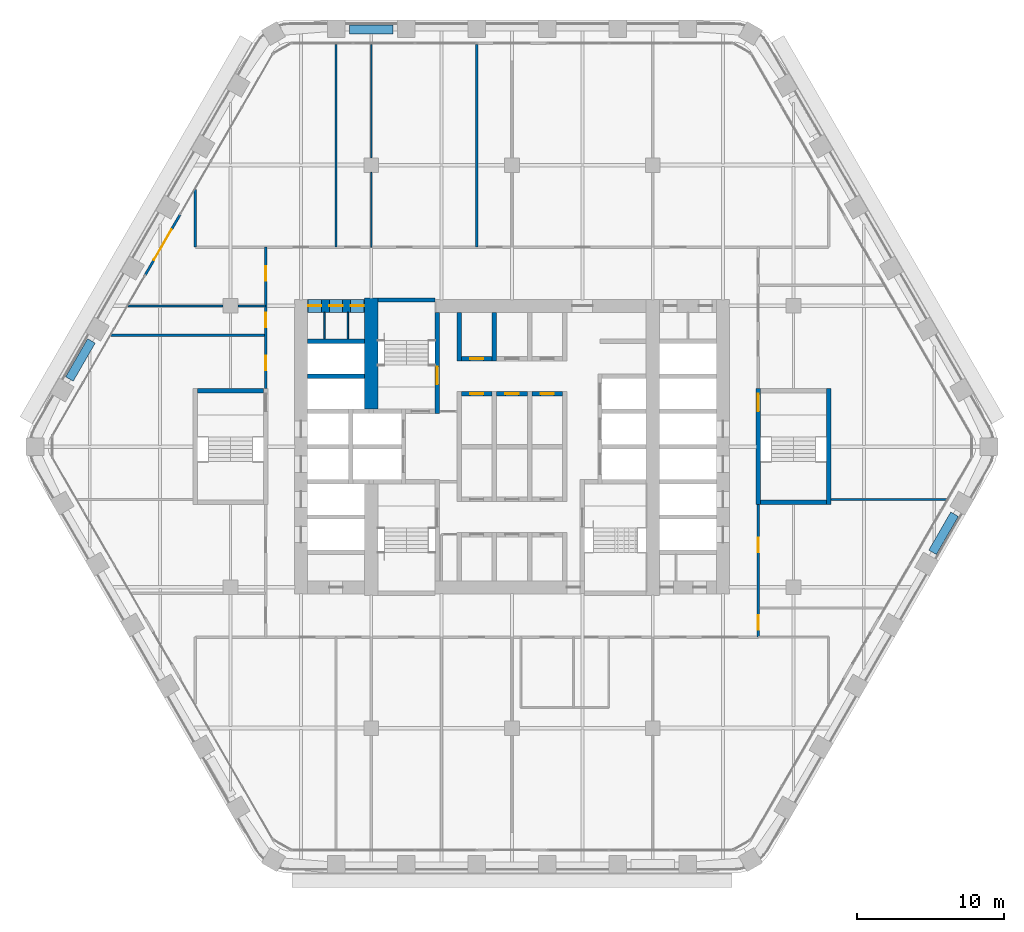
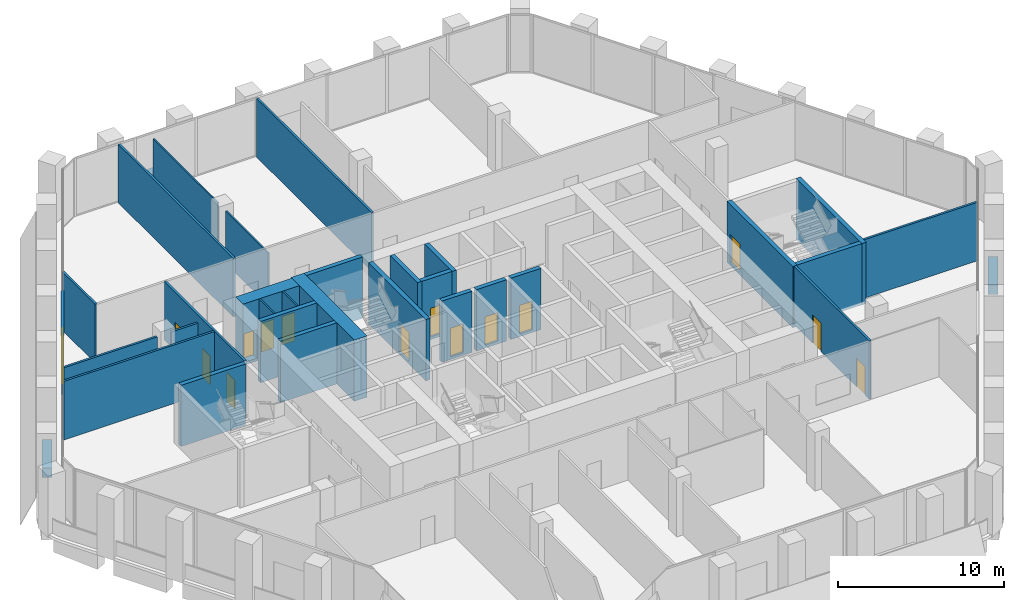
# One storey, part 15 of 22: 33 walls, 15 doors, 15 openings.
"""IFC4 building model written with IfcOpenShell, lengths in metres."""

from ifc_helpers import new_model, si_unit, direction, frame, frame_2d, origin, place, context, subcontext, project, spatial, rectangle, extrude, material, layer, layer_set, type_object, element, fill, save


model = new_model("IFC4")

# Units and contexts
model_context = context("Model", 3, precision=1e-05, world=origin(), true_north=direction((0.0, 1.0)))
body_context = subcontext(model_context, "Body", "Model", "MODEL_VIEW")
ifc_project = project(units=[si_unit("LENGTHUNIT", "METRE"), si_unit("AREAUNIT", "SQUARE_METRE"), si_unit("VOLUMEUNIT", "CUBIC_METRE"), si_unit("PLANEANGLEUNIT", "RADIAN"), si_unit("MASSUNIT", "GRAM", prefix="KILO")], contexts=[model_context])

# Site, building, storey
site_placement = place(None, origin())
site = spatial("IfcSite", under=ifc_project, at=site_placement, CompositionType="ELEMENT")
building_placement = place(site_placement, origin())
building = spatial("IfcBuilding", under=site, at=building_placement, Name="Kolab Exchange Tower", CompositionType="ELEMENT")
storey_placement = place(building_placement, frame((0.0, 0.0, 82.39990234375)))
storey = spatial("IfcBuildingStorey", under=building, at=storey_placement, Name="L15", CompositionType="ELEMENT", Elevation=82.39990234375)

# Wall, openings, doors
ifc_material_1 = material(Name="Concrete C70/85", Category="concrete")
ifc_layer_1 = layer(ifc_material_1, 0.89990234375)
ifc_layer_set_1 = layer_set([ifc_layer_1], Name="Concrete C70/85")
wall_type_1 = type_object("IfcWallType", Name="CORE WALL 900 C70/85", PredefinedType="SHEAR", material=ifc_layer_set_1)
wall_1_placement = place(storey_placement, frame((-13.949951171875, 9.60009765625, -0.199951171875), z_axis=(0.0, 0.0, 1.0), x_axis=(1.0, 0.0, 0.0)))
wall_1 = element("IfcWall", 1, at=wall_1_placement, inside=storey, type_object=wall_type_1, Name="wall/L15/core/051", PredefinedType="SHEAR", context=body_context, shape_type="SweptSolid", body=[
    extrude(rectangle(XDim=3.89990234375, YDim=0.89990234375, at=frame_2d((1.949951171875, 0.0))), origin(), (0.0, 0.0, 1.0), 4.5),
])
opening_1_placement = place(wall_1_placement, frame((0.050048828125, 0.0, 0.199951171875)))
opening_1 = element("IfcOpeningElement", 2, at=opening_1_placement, cuts=wall_1, Name="Opening D6-217", PredefinedType="OPENING", context=body_context, shape_type="SweptSolid", body=[
    extrude(rectangle(XDim=0.89990234375, YDim=2.10009765625, at=frame_2d((0.449951171875, 1.050048828125))), frame((0.0, 0.4599609375, 0.0), z_axis=(0.0, -1.0, 0.0), x_axis=(1.0, 0.0, 0.0)), (0.0, 0.0, 1.0), 0.919921875),
])
opening_2_placement = place(wall_1_placement, frame((1.5, 0.0, 0.199951171875)))
opening_2 = element("IfcOpeningElement", 3, at=opening_2_placement, cuts=wall_1, Name="Opening D6-218", PredefinedType="OPENING", context=body_context, shape_type="SweptSolid", body=[
    extrude(rectangle(XDim=0.89990234375, YDim=2.10009765625, at=frame_2d((0.449951171875, 1.050048828125))), frame((0.0, 0.4599609375, 0.0), z_axis=(0.0, -1.0, 0.0), x_axis=(1.0, 0.0, 0.0)), (0.0, 0.0, 1.0), 0.919921875),
])
opening_3_placement = place(wall_1_placement, frame((2.949951171875, 0.0, 0.199951171875)))
opening_3 = element("IfcOpeningElement", 4, at=opening_3_placement, cuts=wall_1, Name="Opening D6-206", PredefinedType="OPENING", context=body_context, shape_type="SweptSolid", body=[
    extrude(rectangle(XDim=0.89990234375, YDim=2.10009765625, at=frame_2d((0.449951171875, 1.050048828125))), frame((0.0, 0.4599609375, 0.0), z_axis=(0.0, -1.0, 0.0), x_axis=(1.0, 0.0, 0.0)), (0.0, 0.0, 1.0), 0.919921875),
])
ifc_material_2 = material(Name="Steel S235", Category="steel")
door_type_1 = type_object("IfcDoorType", Name="CORE DOOR 900 EI 120", OperationType="SINGLE_SWING_LEFT", PredefinedType="DOOR", material=ifc_material_2)
door_1_placement = place(opening_1_placement, frame((0.89990234375, 0.0, 0.0), z_axis=(0.0, 0.0, 1.0), x_axis=(-1.0, 0.0, 0.0)))
door_1 = element("IfcDoor", 5, at=door_1_placement, inside=storey, type_object=door_type_1, Name="Service room door", OperationType="SINGLE_SWING_RIGHT", OverallHeight=2.10009765625, OverallWidth=0.89990234375, PredefinedType="DOOR", context=body_context, shape_type="SweptSolid", body=[
    extrude(rectangle(XDim=0.89990234375, YDim=2.10009765625, at=frame_2d((0.449951171875, 1.050048828125))), frame((0.0, 0.02490234375, 0.0), z_axis=(0.0, -1.0, 0.0), x_axis=(1.0, 0.0, 0.0)), (0.0, 0.0, 1.0), 0.050048828125),
])
fill(opening_1, door_1)
door_2_placement = place(opening_2_placement, frame((0.89990234375, 0.0, 0.0), z_axis=(0.0, 0.0, 1.0), x_axis=(-1.0, 0.0, 0.0)))
door_2 = element("IfcDoor", 6, at=door_2_placement, inside=storey, type_object=door_type_1, Name="Service room door", OperationType="SINGLE_SWING_LEFT", OverallHeight=2.10009765625, OverallWidth=0.89990234375, PredefinedType="DOOR", context=body_context, shape_type="SweptSolid", body=[
    extrude(rectangle(XDim=0.89990234375, YDim=2.10009765625, at=frame_2d((0.449951171875, 1.050048828125))), frame((0.0, 0.02490234375, 0.0), z_axis=(0.0, -1.0, 0.0), x_axis=(1.0, 0.0, 0.0)), (0.0, 0.0, 1.0), 0.050048828125),
])
fill(opening_2, door_2)
door_3_placement = place(opening_3_placement, frame((0.89990234375, 0.0, 0.0), z_axis=(0.0, 0.0, 1.0), x_axis=(-1.0, 0.0, 0.0)))
door_3 = element("IfcDoor", 7, at=door_3_placement, inside=storey, type_object=door_type_1, Name="Service room door", OperationType="SINGLE_SWING_LEFT", OverallHeight=2.10009765625, OverallWidth=0.89990234375, PredefinedType="DOOR", context=body_context, shape_type="SweptSolid", body=[
    extrude(rectangle(XDim=0.89990234375, YDim=2.10009765625, at=frame_2d((0.449951171875, 1.050048828125))), frame((0.0, 0.02490234375, 0.0), z_axis=(0.0, -1.0, 0.0), x_axis=(1.0, 0.0, 0.0)), (0.0, 0.0, 1.0), 0.050048828125),
])
fill(opening_3, door_3)

# Wall
wall_2_placement = place(storey_placement, frame((-9.60009765625, 2.550048828125, -0.199951171875), z_axis=(0.0, 0.0, 1.0), x_axis=(0.0, 1.0, 0.0)))
element("IfcWall", 8, at=wall_2_placement, inside=storey, type_object=wall_type_1, Name="wall/L15/core/062", PredefinedType="SHEAR", context=body_context, shape_type="SweptSolid", body=[
    extrude(rectangle(XDim=7.599853515625, YDim=0.89990234375, at=frame_2d((3.7998046875, 0.0))), origin(), (0.0, 0.0, 1.0), 4.5),
])

# Wall, opening, door
ifc_material_3 = material(Name="Aluminium EN AW-6063 T6", Category="aluminium")
ifc_layer_2 = layer(ifc_material_3, 0.159912109375)
ifc_layer_set_2 = layer_set([ifc_layer_2], Name="Aluminium EN AW-6063 T6")
wall_type_2 = type_object("IfcWallType", Name="DOOR SURROUND WALL 160 ALUMINIUM FRAMED", PredefinedType="PARTITIONING", material=ifc_layer_set_2)
wall_3_placement = place(storey_placement, frame((-25.0166015625, 11.706787109375, 0.0), z_axis=(0.0, 0.0, 1.0), x_axis=(0.499978080042, 0.866038058908, 0.0)))
wall_3 = element("IfcWall", 9, at=wall_3_placement, inside=storey, type_object=wall_type_2, Name="Door surround wall", PredefinedType="PARTITIONING", context=body_context, shape_type="SweptSolid", body=[
    extrude(rectangle(XDim=4.739990234375, YDim=0.159912109375, at=frame_2d((2.3701171875, 0.0))), origin(), (0.0, 0.0, 1.0), 4.300048828125),
])
opening_4_placement = place(wall_3_placement, frame((1.169921875, 0.0, 0.0)))
opening_4 = element("IfcOpeningElement", 10, at=opening_4_placement, cuts=wall_3, Name="Opening GD1-039", PredefinedType="OPENING", context=body_context, shape_type="SweptSolid", body=[
    extrude(rectangle(XDim=2.39990234375, YDim=2.39990234375, at=frame_2d((1.199951171875, 1.199951171875))), frame((0.0, 0.08984375, 0.0), z_axis=(0.0, -1.0, 0.0), x_axis=(1.0, 0.0, 0.0)), (0.0, 0.0, 1.0), 0.179931640625),
])
door_type_2 = type_object("IfcDoorType", Name="LOGGIA SLIDING GLASS DOOR 2400 X 2400", OperationType="DOUBLE_DOOR_SINGLE_SWING", PredefinedType="DOOR", material=ifc_material_3)
door_4_placement = place(opening_4_placement, origin())
door_4 = element("IfcDoor", 11, at=door_4_placement, inside=storey, type_object=door_type_2, Name="Loggia door", OperationType="DOUBLE_DOOR_SLIDING", OverallHeight=2.39990234375, OverallWidth=2.39990234375, PredefinedType="DOOR", context=body_context, shape_type="SweptSolid", body=[
    extrude(rectangle(XDim=2.39990234375, YDim=2.39990234375, at=frame_2d((1.199951171875, 1.199951171875))), frame((0.0, 0.02490234375, 0.0), z_axis=(0.0, -1.0, 0.0), x_axis=(1.0, 0.0, 0.0)), (0.0, 0.0, 1.0), 0.050048828125),
])
fill(opening_4, door_4)

ifc_material_4 = material(Name="Concrete C50/60", Category="concrete")
ifc_layer_3 = layer(ifc_material_4, 0.300048828125)
ifc_layer_set_3 = layer_set([ifc_layer_3], Name="Concrete C50/60")
wall_type_3 = type_object("IfcWallType", Name="LIFT SHAFT WALL 300 C50/60", PredefinedType="STANDARD", material=ifc_layer_set_3)
wall_4_placement = place(storey_placement, frame((-3.449951171875, 3.60009765625, -0.199951171875), z_axis=(0.0, 0.0, 1.0), x_axis=(1.0, 0.0, 0.0)))
wall_4 = element("IfcWall", 12, at=wall_4_placement, inside=storey, type_object=wall_type_3, Name="wall/L15/core/037", PredefinedType="STANDARD", context=body_context, shape_type="SweptSolid", body=[
    extrude(rectangle(XDim=2.099853515625, YDim=0.300048828125, at=frame_2d((1.0498046875, 0.0))), origin(), (0.0, 0.0, 1.0), 4.5),
])
opening_5_placement = place(wall_4_placement, frame((0.60009765625, 0.0, 0.199951171875)))
opening_5 = element("IfcOpeningElement", 13, at=opening_5_placement, cuts=wall_4, Name="Opening D6-196", PredefinedType="OPENING", context=body_context, shape_type="SweptSolid", body=[
    extrude(rectangle(XDim=0.89990234375, YDim=2.10009765625, at=frame_2d((0.449951171875, 1.050048828125))), frame((0.0, 0.16015625, 0.0), z_axis=(0.0, -1.0, 0.0), x_axis=(1.0, 0.0, 0.0)), (0.0, 0.0, 1.0), 0.320068359375),
])
door_5_placement = place(opening_5_placement, frame((0.89990234375, 0.0, 0.0), z_axis=(0.0, 0.0, 1.0), x_axis=(-1.0, 0.0, 0.0)))
door_5 = element("IfcDoor", 14, at=door_5_placement, inside=storey, type_object=door_type_1, Name="Service room door", OperationType="SINGLE_SWING_LEFT", OverallHeight=2.10009765625, OverallWidth=0.89990234375, PredefinedType="DOOR", context=body_context, shape_type="SweptSolid", body=[
    extrude(rectangle(XDim=0.89990234375, YDim=2.10009765625, at=frame_2d((0.449951171875, 1.050048828125))), frame((0.0, 0.02490234375, 0.0), z_axis=(0.0, -1.0, 0.0), x_axis=(1.0, 0.0, 0.0)), (0.0, 0.0, 1.0), 0.050048828125),
])
fill(opening_5, door_5)

wall_5_placement = place(storey_placement, frame((-1.050048828125, 3.60009765625, -0.199951171875), z_axis=(0.0, 0.0, 1.0), x_axis=(1.0, 0.0, 0.0)))
wall_5 = element("IfcWall", 15, at=wall_5_placement, inside=storey, type_object=wall_type_3, Name="wall/L15/core/038", PredefinedType="STANDARD", context=body_context, shape_type="SweptSolid", body=[
    extrude(rectangle(XDim=2.10009765625, YDim=0.300048828125, at=frame_2d((1.050048828125, 0.0))), origin(), (0.0, 0.0, 1.0), 4.5),
])
opening_6_placement = place(wall_5_placement, frame((0.60009765625, 0.0, 0.199951171875)))
opening_6 = element("IfcOpeningElement", 16, at=opening_6_placement, cuts=wall_5, Name="Opening D6-195", PredefinedType="OPENING", context=body_context, shape_type="SweptSolid", body=[
    extrude(rectangle(XDim=0.89990234375, YDim=2.10009765625, at=frame_2d((0.449951171875, 1.050048828125))), frame((0.0, 0.16015625, 0.0), z_axis=(0.0, -1.0, 0.0), x_axis=(1.0, 0.0, 0.0)), (0.0, 0.0, 1.0), 0.320068359375),
])
door_6_placement = place(opening_6_placement, frame((0.89990234375, 0.0, 0.0), z_axis=(0.0, 0.0, 1.0), x_axis=(-1.0, 0.0, 0.0)))
door_6 = element("IfcDoor", 17, at=door_6_placement, inside=storey, type_object=door_type_1, Name="Service room door", OperationType="SINGLE_SWING_LEFT", OverallHeight=2.10009765625, OverallWidth=0.89990234375, PredefinedType="DOOR", context=body_context, shape_type="SweptSolid", body=[
    extrude(rectangle(XDim=0.89990234375, YDim=2.10009765625, at=frame_2d((0.449951171875, 1.050048828125))), frame((0.0, 0.02490234375, 0.0), z_axis=(0.0, -1.0, 0.0), x_axis=(1.0, 0.0, 0.0)), (0.0, 0.0, 1.0), 0.050048828125),
])
fill(opening_6, door_6)

wall_6_placement = place(storey_placement, frame((1.35009765625, 3.60009765625, -0.199951171875), z_axis=(0.0, 0.0, 1.0), x_axis=(1.0, 0.0, 0.0)))
wall_6 = element("IfcWall", 18, at=wall_6_placement, inside=storey, type_object=wall_type_3, Name="wall/L15/core/039", PredefinedType="STANDARD", context=body_context, shape_type="SweptSolid", body=[
    extrude(rectangle(XDim=2.099853515625, YDim=0.300048828125, at=frame_2d((1.0498046875, 0.0))), origin(), (0.0, 0.0, 1.0), 4.5),
])
opening_7_placement = place(wall_6_placement, frame((0.60009765625, 0.0, 0.199951171875)))
opening_7 = element("IfcOpeningElement", 19, at=opening_7_placement, cuts=wall_6, Name="Opening D6-194", PredefinedType="OPENING", context=body_context, shape_type="SweptSolid", body=[
    extrude(rectangle(XDim=0.89990234375, YDim=2.10009765625, at=frame_2d((0.449951171875, 1.050048828125))), frame((0.0, 0.16015625, 0.0), z_axis=(0.0, -1.0, 0.0), x_axis=(1.0, 0.0, 0.0)), (0.0, 0.0, 1.0), 0.320068359375),
])
door_7_placement = place(opening_7_placement, frame((0.89990234375, 0.0, 0.0), z_axis=(0.0, 0.0, 1.0), x_axis=(-1.0, 0.0, 0.0)))
door_7 = element("IfcDoor", 20, at=door_7_placement, inside=storey, type_object=door_type_1, Name="Service room door", OperationType="SINGLE_SWING_RIGHT", OverallHeight=2.10009765625, OverallWidth=0.89990234375, PredefinedType="DOOR", context=body_context, shape_type="SweptSolid", body=[
    extrude(rectangle(XDim=0.89990234375, YDim=2.10009765625, at=frame_2d((0.449951171875, 1.050048828125))), frame((0.0, 0.02490234375, 0.0), z_axis=(0.0, -1.0, 0.0), x_axis=(1.0, 0.0, 0.0)), (0.0, 0.0, 1.0), 0.050048828125),
])
fill(opening_7, door_7)

# Wall
wall_7_placement = place(storey_placement, frame((-13.949951171875, 4.800048828125, -0.199951171875), z_axis=(0.0, 0.0, 1.0), x_axis=(1.0, 0.0, 0.0)))
element("IfcWall", 21, at=wall_7_placement, inside=storey, type_object=wall_type_3, Name="wall/L15/core/042", PredefinedType="STANDARD", context=body_context, shape_type="SweptSolid", body=[
    extrude(rectangle(XDim=3.89990234375, YDim=0.300048828125, at=frame_2d((1.949951171875, 0.0))), origin(), (0.0, 0.0, 1.0), 4.5),
])

# Wall, opening, door
wall_8_placement = place(storey_placement, frame((-3.449951171875, 6.0, -0.199951171875), z_axis=(0.0, 0.0, 1.0), x_axis=(1.0, 0.0, 0.0)))
wall_8 = element("IfcWall", 22, at=wall_8_placement, inside=storey, type_object=wall_type_3, Name="wall/L15/core/045", PredefinedType="STANDARD", context=body_context, shape_type="SweptSolid", body=[
    extrude(rectangle(XDim=2.099853515625, YDim=0.300048828125, at=frame_2d((1.0498046875, 0.0))), origin(), (0.0, 0.0, 1.0), 4.5),
])
opening_8_placement = place(wall_8_placement, frame((0.60009765625, 0.0, 0.199951171875)))
opening_8 = element("IfcOpeningElement", 23, at=opening_8_placement, cuts=wall_8, Name="Opening D6-193", PredefinedType="OPENING", context=body_context, shape_type="SweptSolid", body=[
    extrude(rectangle(XDim=0.89990234375, YDim=2.10009765625, at=frame_2d((0.449951171875, 1.050048828125))), frame((0.0, 0.16015625, 0.0), z_axis=(0.0, -1.0, 0.0), x_axis=(1.0, 0.0, 0.0)), (0.0, 0.0, 1.0), 0.320068359375),
])
door_8_placement = place(opening_8_placement, origin())
door_8 = element("IfcDoor", 24, at=door_8_placement, inside=storey, type_object=door_type_1, Name="Service room door", OperationType="SINGLE_SWING_LEFT", OverallHeight=2.10009765625, OverallWidth=0.89990234375, PredefinedType="DOOR", context=body_context, shape_type="SweptSolid", body=[
    extrude(rectangle(XDim=0.89990234375, YDim=2.10009765625, at=frame_2d((0.449951171875, 1.050048828125))), frame((0.0, 0.02490234375, 0.0), z_axis=(0.0, -1.0, 0.0), x_axis=(1.0, 0.0, 0.0)), (0.0, 0.0, 1.0), 0.050048828125),
])
fill(opening_8, door_8)

# Walls
wall_9_placement = place(storey_placement, frame((-13.949951171875, 7.199951171875, -0.199951171875), z_axis=(0.0, 0.0, 1.0), x_axis=(1.0, 0.0, 0.0)))
element("IfcWall", 25, at=wall_9_placement, inside=storey, type_object=wall_type_3, Name="wall/L15/core/048", PredefinedType="STANDARD", context=body_context, shape_type="SweptSolid", body=[
    extrude(rectangle(XDim=3.89990234375, YDim=0.300048828125, at=frame_2d((1.949951171875, 0.0))), origin(), (0.0, 0.0, 1.0), 4.5),
])
for number, where, z_axis, x_axis, name in (
    (26, (-3.60009765625, 5.85009765625, -0.199951171875), (0.0, 0.0, 1.0), (0.0, 1.0, 0.0), "wall/L15/core/068"),
    (27, (-1.199951171875, 5.85009765625, -0.199951171875), (0.0, 0.0, 1.0), (0.0, 1.0, 0.0), "wall/L15/core/071"),
):
    element("IfcWall", number, at=place(storey_placement, frame(where, z_axis=z_axis, x_axis=x_axis)), inside=storey, type_object=wall_type_3, Name=name, PredefinedType="STANDARD", context=body_context, shape_type="SweptSolid", body=[
        extrude(rectangle(XDim=3.2998046875, YDim=0.300048828125, at=frame_2d((1.64990234375, 0.0))), origin(), (0.0, 0.0, 1.0), 4.5),
    ])
ifc_material_5 = material(Name="Gypsum board", Category="gypsum")
ifc_layer_4 = layer(ifc_material_5, 0.10009765625)
ifc_layer_set_4 = layer_set([ifc_layer_4], Name="Gypsum board")
wall_type_4 = type_object("IfcWallType", Name="PARTITION 100", PredefinedType="PARTITIONING", material=ifc_layer_set_4)
wall_10_placement = place(storey_placement, frame((-9.60009765625, 13.60009765625, 0.0), z_axis=(0.0, 0.0, 1.0), x_axis=(0.0, 1.0, 0.0)))
element("IfcWall", 28, at=wall_10_placement, inside=storey, type_object=wall_type_4, Name="Partition 020", PredefinedType="PARTITIONING", context=body_context, shape_type="SweptSolid", body=[
    extrude(rectangle(XDim=5.099853515625, YDim=0.10009765625, at=frame_2d((2.5498046875, 0.0))), origin(), (0.0, 0.0, 1.0), 3.843017578125),
])
wall_11_placement = place(storey_placement, frame((-9.60009765625, 19.699951171875, 0.0), z_axis=(0.0, 0.0, 1.0), x_axis=(0.0, 1.0, 0.0)))
element("IfcWall", 29, at=wall_11_placement, inside=storey, type_object=wall_type_4, Name="Partition 021", PredefinedType="PARTITIONING", context=body_context, shape_type="SweptSolid", body=[
    extrude(rectangle(XDim=7.728515625, YDim=0.10009765625, at=frame_2d((3.8642578125, 0.0))), origin(), (0.0, 0.0, 1.0), 3.843017578125),
])
for number, where, z_axis, x_axis, name in (
    (30, (-11.199951171875, 7.35009765625, 0.0), (0.0, 0.0, 1.0), (0.0, 1.0, 0.0), "Partition 024"),
    (31, (-12.800048828125, 7.35009765625, 0.0), (0.0, 0.0, 1.0), (0.0, 1.0, 0.0), "Partition 027"),
):
    element("IfcWall", number, at=place(storey_placement, frame(where, z_axis=z_axis, x_axis=x_axis)), inside=storey, type_object=wall_type_4, Name=name, PredefinedType="PARTITIONING", context=body_context, shape_type="SweptSolid", body=[
        extrude(rectangle(XDim=1.7998046875, YDim=0.10009765625, at=frame_2d((0.89990234375, 0.0))), origin(), (0.0, 0.0, 1.0), 4.300048828125),
    ])

# Wall, openings, doors
ifc_layer_5 = layer(ifc_material_5, 0.14990234375)
ifc_layer_set_5 = layer_set([ifc_layer_5], Name="Gypsum board")
wall_type_5 = type_object("IfcWallType", Name="PARTITION 150 FIRE-RATED", PredefinedType="PARTITIONING", material=ifc_layer_set_5)
wall_12_placement = place(storey_placement, frame((16.800048828125, -13.0, 0.0), z_axis=(0.0, 0.0, 1.0), x_axis=(0.0, 1.0, 0.0)))
wall_12 = element("IfcWall", 32, at=wall_12_placement, inside=storey, type_object=wall_type_5, Name="Partition 002", PredefinedType="PARTITIONING", context=body_context, shape_type="SweptSolid", body=[
    extrude(rectangle(XDim=9.050048828125, YDim=0.14990234375, at=frame_2d((4.52490234375, 0.0))), origin(), (0.0, 0.0, 1.0), 4.300048828125),
])
opening_9_placement = place(wall_12_placement, frame((0.514892578125, 0.0, 0.0)))
opening_9 = element("IfcOpeningElement", 33, at=opening_9_placement, cuts=wall_12, Name="Opening D1-227", PredefinedType="OPENING", context=body_context, shape_type="SweptSolid", body=[
    extrude(rectangle(XDim=1.0, YDim=2.10009765625, at=frame_2d((0.5, 1.050048828125))), frame((0.0, 0.0849609375, 0.0), z_axis=(0.0, -1.0, 0.0), x_axis=(1.0, 0.0, 0.0)), (0.0, 0.0, 1.0), 0.169921875),
])
opening_10_placement = place(wall_12_placement, frame((5.800048828125, 0.0, 0.0)))
opening_10 = element("IfcOpeningElement", 34, at=opening_10_placement, cuts=wall_12, Name="Opening D1-213", PredefinedType="OPENING", context=body_context, shape_type="SweptSolid", body=[
    extrude(rectangle(XDim=1.0, YDim=2.10009765625, at=frame_2d((0.5, 1.050048828125))), frame((0.0, 0.0849609375, 0.0), z_axis=(0.0, -1.0, 0.0), x_axis=(1.0, 0.0, 0.0)), (0.0, 0.0, 1.0), 0.169921875),
])
door_type_3 = type_object("IfcDoorType", Name="FLUSH DOOR 1000 FD60", OperationType="SINGLE_SWING_LEFT", PredefinedType="DOOR", material=ifc_material_2)
door_9_placement = place(opening_9_placement, frame((1.0, 0.0, 0.0), z_axis=(0.0, 0.0, 1.0), x_axis=(-1.0, 0.0, 0.0)))
door_9 = element("IfcDoor", 35, at=door_9_placement, inside=storey, type_object=door_type_3, Name="Door L15-060", OperationType="SINGLE_SWING_RIGHT", OverallHeight=2.10009765625, OverallWidth=1.0, PredefinedType="DOOR", context=body_context, shape_type="SweptSolid", body=[
    extrude(rectangle(XDim=1.0, YDim=2.10009765625, at=frame_2d((0.5, 1.050048828125))), frame((0.0, 0.02490234375, 0.0), z_axis=(0.0, -1.0, 0.0), x_axis=(1.0, 0.0, 0.0)), (0.0, 0.0, 1.0), 0.050048828125),
])
fill(opening_9, door_9)
door_10_placement = place(opening_10_placement, frame((1.0, 0.0, 0.0), z_axis=(0.0, 0.0, 1.0), x_axis=(-1.0, 0.0, 0.0)))
door_10 = element("IfcDoor", 36, at=door_10_placement, inside=storey, type_object=door_type_3, Name="Door L15-061", OperationType="SINGLE_SWING_RIGHT", OverallHeight=2.10009765625, OverallWidth=1.0, PredefinedType="DOOR", context=body_context, shape_type="SweptSolid", body=[
    extrude(rectangle(XDim=1.0, YDim=2.10009765625, at=frame_2d((0.5, 1.050048828125))), frame((0.0, 0.02490234375, 0.0), z_axis=(0.0, -1.0, 0.0), x_axis=(1.0, 0.0, 0.0)), (0.0, 0.0, 1.0), 0.050048828125),
])
fill(opening_10, door_10)

# Walls
wall_13_placement = place(storey_placement, frame((-2.39990234375, 13.60009765625, 0.0), z_axis=(0.0, 0.0, 1.0), x_axis=(0.0, 1.0, 0.0)))
element("IfcWall", 37, at=wall_13_placement, inside=storey, type_object=wall_type_5, Name="Partition 017", PredefinedType="PARTITIONING", context=body_context, shape_type="SweptSolid", body=[
    extrude(rectangle(XDim=13.83837890625, YDim=0.14990234375, at=frame_2d((6.919189453125, 0.0))), origin(), (0.0, 0.0, 1.0), 4.300048828125),
])
wall_14_placement = place(storey_placement, frame((-12.0, 13.60009765625, 0.0), z_axis=(0.0, 0.0, 1.0), x_axis=(0.0, 1.0, 0.0)))
element("IfcWall", 38, at=wall_14_placement, inside=storey, type_object=wall_type_5, Name="Partition 026", PredefinedType="PARTITIONING", context=body_context, shape_type="SweptSolid", body=[
    extrude(rectangle(XDim=13.828369140625, YDim=0.14990234375, at=frame_2d((6.9140625, 0.0))), origin(), (0.0, 0.0, 1.0), 4.300048828125),
])

# Wall, openings, doors
wall_15_placement = place(storey_placement, frame((-16.800048828125, 3.949951171875, 0.0), z_axis=(0.0, 0.0, 1.0), x_axis=(0.0, 1.0, 0.0)))
wall_15 = element("IfcWall", 39, at=wall_15_placement, inside=storey, type_object=wall_type_5, Name="Partition 029", PredefinedType="PARTITIONING", context=body_context, shape_type="SweptSolid", body=[
    extrude(rectangle(XDim=9.650146484375, YDim=0.14990234375, at=frame_2d((4.8251953125, 0.0))), origin(), (0.0, 0.0, 1.0), 4.300048828125),
])
opening_11_placement = place(wall_15_placement, frame((1.25, 0.0, 0.0)))
opening_11 = element("IfcOpeningElement", 40, at=opening_11_placement, cuts=wall_15, Name="Opening D1-218", PredefinedType="OPENING", context=body_context, shape_type="SweptSolid", body=[
    extrude(rectangle(XDim=1.0, YDim=2.10009765625, at=frame_2d((0.5, 1.050048828125))), frame((0.0, 0.0849609375, 0.0), z_axis=(0.0, -1.0, 0.0), x_axis=(1.0, 0.0, 0.0)), (0.0, 0.0, 1.0), 0.169921875),
])
opening_12_placement = place(wall_15_placement, frame((4.18505859375, 0.0, 0.0)))
opening_12 = element("IfcOpeningElement", 41, at=opening_12_placement, cuts=wall_15, Name="Opening D1-228", PredefinedType="OPENING", context=body_context, shape_type="SweptSolid", body=[
    extrude(rectangle(XDim=1.0, YDim=2.10009765625, at=frame_2d((0.5, 1.050048828125))), frame((0.0, 0.0849609375, 0.0), z_axis=(0.0, -1.0, 0.0), x_axis=(1.0, 0.0, 0.0)), (0.0, 0.0, 1.0), 0.169921875),
])
opening_13_placement = place(wall_15_placement, frame((7.35009765625, 0.0, 0.0)))
opening_13 = element("IfcOpeningElement", 42, at=opening_13_placement, cuts=wall_15, Name="Opening D1-220", PredefinedType="OPENING", context=body_context, shape_type="SweptSolid", body=[
    extrude(rectangle(XDim=1.0, YDim=2.10009765625, at=frame_2d((0.5, 1.050048828125))), frame((0.0, 0.0849609375, 0.0), z_axis=(0.0, -1.0, 0.0), x_axis=(1.0, 0.0, 0.0)), (0.0, 0.0, 1.0), 0.169921875),
])
door_11_placement = place(opening_11_placement, origin())
door_11 = element("IfcDoor", 43, at=door_11_placement, inside=storey, type_object=door_type_3, Name="Door L15-066", OperationType="SINGLE_SWING_RIGHT", OverallHeight=2.10009765625, OverallWidth=1.0, PredefinedType="DOOR", context=body_context, shape_type="SweptSolid", body=[
    extrude(rectangle(XDim=1.0, YDim=2.10009765625, at=frame_2d((0.5, 1.050048828125))), frame((0.0, 0.02490234375, 0.0), z_axis=(0.0, -1.0, 0.0), x_axis=(1.0, 0.0, 0.0)), (0.0, 0.0, 1.0), 0.050048828125),
])
fill(opening_11, door_11)
door_12_placement = place(opening_12_placement, origin())
door_12 = element("IfcDoor", 44, at=door_12_placement, inside=storey, type_object=door_type_3, Name="Door L15-067", OperationType="SINGLE_SWING_RIGHT", OverallHeight=2.10009765625, OverallWidth=1.0, PredefinedType="DOOR", context=body_context, shape_type="SweptSolid", body=[
    extrude(rectangle(XDim=1.0, YDim=2.10009765625, at=frame_2d((0.5, 1.050048828125))), frame((0.0, 0.02490234375, 0.0), z_axis=(0.0, -1.0, 0.0), x_axis=(1.0, 0.0, 0.0)), (0.0, 0.0, 1.0), 0.050048828125),
])
fill(opening_12, door_12)
door_13_placement = place(opening_13_placement, origin())
door_13 = element("IfcDoor", 45, at=door_13_placement, inside=storey, type_object=door_type_3, Name="Door L15-068", OperationType="SINGLE_SWING_RIGHT", OverallHeight=2.10009765625, OverallWidth=1.0, PredefinedType="DOOR", context=body_context, shape_type="SweptSolid", body=[
    extrude(rectangle(XDim=1.0, YDim=2.10009765625, at=frame_2d((0.5, 1.050048828125))), frame((0.0, 0.02490234375, 0.0), z_axis=(0.0, -1.0, 0.0), x_axis=(1.0, 0.0, 0.0)), (0.0, 0.0, 1.0), 0.050048828125),
])
fill(opening_13, door_13)

# Walls
wall_16_placement = place(storey_placement, frame((-21.60009765625, 13.60009765625, 0.0), z_axis=(0.0, 0.0, 1.0), x_axis=(0.0, 1.0, 0.0)))
element("IfcWall", 46, at=wall_16_placement, inside=storey, type_object=wall_type_5, Name="Partition 031", PredefinedType="PARTITIONING", context=body_context, shape_type="SweptSolid", body=[
    extrude(rectangle(XDim=3.944580078125, YDim=0.14990234375, at=frame_2d((1.97216796875, 0.0))), origin(), (0.0, 0.0, 1.0), 4.300048828125),
])
wall_17_placement = place(storey_placement, frame((21.75, -3.60009765625, 0.0), z_axis=(0.0, 0.0, 1.0), x_axis=(1.0, 0.0, 0.0)))
element("IfcWall", 47, at=wall_17_placement, inside=storey, type_object=wall_type_5, Name="Partition 040", PredefinedType="PARTITIONING", context=body_context, shape_type="SweptSolid", body=[
    extrude(rectangle(XDim=7.90087890625, YDim=0.14990234375, at=frame_2d((3.950439453125, 0.0))), origin(), (0.0, 0.0, 1.0), 4.300048828125),
])
wall_18_placement = place(storey_placement, frame((-27.341552734375, 7.60009765625, 0.0), z_axis=(0.0, 0.0, 1.0), x_axis=(1.0, 0.0, 0.0)))
element("IfcWall", 48, at=wall_18_placement, inside=storey, type_object=wall_type_5, Name="Partition 041", PredefinedType="PARTITIONING", context=body_context, shape_type="SweptSolid", body=[
    extrude(rectangle(XDim=10.54150390625, YDim=0.14990234375, at=frame_2d((5.270751953125, 0.0))), origin(), (0.0, 0.0, 1.0), 4.300048828125),
])
wall_19_placement = place(storey_placement, frame((-26.186767578125, 9.60009765625, 0.0), z_axis=(0.0, 0.0, 1.0), x_axis=(1.0, 0.0, 0.0)))
element("IfcWall", 49, at=wall_19_placement, inside=storey, type_object=wall_type_5, Name="Partition 042", PredefinedType="PARTITIONING", context=body_context, shape_type="SweptSolid", body=[
    extrude(rectangle(XDim=6.48681640625, YDim=0.14990234375, at=frame_2d((3.243408203125, 0.0))), origin(), (0.0, 0.0, 1.0), 3.692138671875),
])
wall_20_placement = place(storey_placement, frame((-18.699951171875, 9.60009765625, 0.0), z_axis=(0.0, 0.0, 1.0), x_axis=(1.0, 0.0, 0.0)))
element("IfcWall", 50, at=wall_20_placement, inside=storey, type_object=wall_type_5, Name="Partition 043", PredefinedType="PARTITIONING", context=body_context, shape_type="SweptSolid", body=[
    extrude(rectangle(XDim=1.89990234375, YDim=0.14990234375, at=frame_2d((0.949951171875, 0.0))), origin(), (0.0, 0.0, 1.0), 3.692138671875),
])
ifc_material_6 = material(Name="Granite facing", Category="masonry")
ifc_layer_6 = layer(ifc_material_6, 0.0400390625)
ifc_material_7 = material(Name="Concrete C40/50 precast", Category="concrete")
ifc_layer_7 = layer(ifc_material_7, 0.56005859375)
ifc_layer_set_6 = layer_set([ifc_layer_6, ifc_layer_7], Name="Concrete C40/50 precast")
wall_type_6 = type_object("IfcWallType", Name="PLANTER BOX 600 X 700 SOIL DEPTH 550", PredefinedType="USERDEFINED", material=ifc_layer_set_6)
for number, where, z_axis, x_axis, name in (
    (51, (-11.10009765625, 28.448486328125, 0.0), (0.0, 0.0, 1.0), (1.0, 0.0, 0.0), "Planter"),
    (52, (30.18701171875, -4.611328125, 0.0), (0.0, 0.0, 1.0), (-0.499990139034, -0.866031096941, 0.0), "Planter"),
    (53, (-30.18701171875, 4.611328125, 0.0), (0.0, 0.0, 1.0), (0.499990139034, 0.866031096941, 0.0), "Planter"),
):
    element("IfcWall", number, at=place(storey_placement, frame(where, z_axis=z_axis, x_axis=x_axis)), inside=storey, type_object=wall_type_6, Name=name, ObjectType="PLANTER", PredefinedType="USERDEFINED", context=body_context, shape_type="SweptSolid", body=[
        extrude(rectangle(XDim=3.0, YDim=0.60009765625, at=frame_2d((1.5, 0.0))), origin(), (0.0, 0.0, 1.0), 0.7001953125),
    ])
ifc_layer_8 = layer(ifc_material_4, 0.300048828125)
ifc_layer_set_7 = layer_set([ifc_layer_8], Name="Concrete C50/60")
wall_type_7 = type_object("IfcWallType", Name="STAIR ENCLOSURE WALL 300 C50/60", PredefinedType="STANDARD", material=ifc_layer_set_7)
for number, where, z_axis, x_axis, name in (
    (54, (16.949951171875, -3.800048828125, -0.199951171875), (0.0, 0.0, 1.0), (1.0, 0.0, 0.0), "wall/L15/core/013"),
    (55, (-21.449951171875, 3.800048828125, -0.199951171875), (0.0, 0.0, 1.0), (1.0, 0.0, 0.0), "wall/L15/core/040"),
):
    element("IfcWall", number, at=place(storey_placement, frame(where, z_axis=z_axis, x_axis=x_axis)), inside=storey, type_object=wall_type_7, Name=name, PredefinedType="STANDARD", context=body_context, shape_type="SweptSolid", body=[
        extrude(rectangle(XDim=4.5, YDim=0.300048828125, at=frame_2d((2.25, 0.0))), origin(), (0.0, 0.0, 1.0), 4.5),
    ])
wall_21_placement = place(storey_placement, frame((-9.14990234375, 10.0, -0.199951171875), z_axis=(0.0, 0.0, 1.0), x_axis=(1.0, 0.0, 0.0)))
element("IfcWall", 56, at=wall_21_placement, inside=storey, type_object=wall_type_7, Name="wall/L15/core/054", PredefinedType="STANDARD", context=body_context, shape_type="SweptSolid", body=[
    extrude(rectangle(XDim=3.89990234375, YDim=0.300048828125, at=frame_2d((1.949951171875, 0.0))), origin(), (0.0, 0.0, 1.0), 4.5),
])

# Wall, opening, door
wall_22_placement = place(storey_placement, frame((-5.10009765625, 2.25, -0.199951171875), z_axis=(0.0, 0.0, 1.0), x_axis=(0.0, 1.0, 0.0)))
wall_22 = element("IfcWall", 57, at=wall_22_placement, inside=storey, type_object=wall_type_7, Name="wall/L15/core/065", PredefinedType="STANDARD", context=body_context, shape_type="SweptSolid", body=[
    extrude(rectangle(XDim=6.89990234375, YDim=0.300048828125, at=frame_2d((3.449951171875, 0.0))), origin(), (0.0, 0.0, 1.0), 4.5),
])
opening_14_placement = place(wall_22_placement, frame((2.0, 0.0, 0.199951171875)))
opening_14 = element("IfcOpeningElement", 58, at=opening_14_placement, cuts=wall_22, Name="Opening D4-044", PredefinedType="OPENING", context=body_context, shape_type="SweptSolid", body=[
    extrude(rectangle(XDim=1.199951171875, YDim=2.10009765625, at=frame_2d((0.60009765625, 1.050048828125))), frame((0.0, 0.16015625, 0.0), z_axis=(0.0, -1.0, 0.0), x_axis=(1.0, 0.0, 0.0)), (0.0, 0.0, 1.0), 0.320068359375),
])
door_type_4 = type_object("IfcDoorType", Name="STAIR DOOR 1200 EI 120", OperationType="SINGLE_SWING_LEFT", PredefinedType="DOOR", material=ifc_material_2)
door_14_placement = place(opening_14_placement, origin())
door_14 = element("IfcDoor", 59, at=door_14_placement, inside=storey, type_object=door_type_4, Name="Stair 1 door", OperationType="SINGLE_SWING_LEFT", OverallHeight=2.10009765625, OverallWidth=1.199951171875, PredefinedType="DOOR", context=body_context, shape_type="SweptSolid", body=[
    extrude(rectangle(XDim=1.199951171875, YDim=2.10009765625, at=frame_2d((0.60009765625, 1.050048828125))), frame((0.0, 0.02490234375, 0.0), z_axis=(0.0, -1.0, 0.0), x_axis=(1.0, 0.0, 0.0)), (0.0, 0.0, 1.0), 0.050048828125),
])
fill(opening_14, door_14)

wall_23_placement = place(storey_placement, frame((16.800048828125, -3.949951171875, -0.199951171875), z_axis=(0.0, 0.0, 1.0), x_axis=(0.0, 1.0, 0.0)))
wall_23 = element("IfcWall", 60, at=wall_23_placement, inside=storey, type_object=wall_type_7, Name="wall/L15/core/082", PredefinedType="STANDARD", context=body_context, shape_type="SweptSolid", body=[
    extrude(rectangle(XDim=7.89990234375, YDim=0.300048828125, at=frame_2d((3.949951171875, 0.0))), origin(), (0.0, 0.0, 1.0), 4.5),
])
opening_15_placement = place(wall_23_placement, frame((6.35009765625, 0.0, 0.199951171875)))
opening_15 = element("IfcOpeningElement", 61, at=opening_15_placement, cuts=wall_23, Name="Opening D4-047", PredefinedType="OPENING", context=body_context, shape_type="SweptSolid", body=[
    extrude(rectangle(XDim=1.199951171875, YDim=2.10009765625, at=frame_2d((0.60009765625, 1.050048828125))), frame((0.0, 0.16015625, 0.0), z_axis=(0.0, -1.0, 0.0), x_axis=(1.0, 0.0, 0.0)), (0.0, 0.0, 1.0), 0.320068359375),
])
door_15_placement = place(opening_15_placement, frame((1.199951171875, 0.0, 0.0), z_axis=(0.0, 0.0, 1.0), x_axis=(-1.0, 0.0, 0.0)))
door_15 = element("IfcDoor", 62, at=door_15_placement, inside=storey, type_object=door_type_4, Name="Stair 4 door", OperationType="SINGLE_SWING_RIGHT", OverallHeight=2.10009765625, OverallWidth=1.199951171875, PredefinedType="DOOR", context=body_context, shape_type="SweptSolid", body=[
    extrude(rectangle(XDim=1.199951171875, YDim=2.10009765625, at=frame_2d((0.60009765625, 1.050048828125))), frame((0.0, 0.02490234375, 0.0), z_axis=(0.0, -1.0, 0.0), x_axis=(1.0, 0.0, 0.0)), (0.0, 0.0, 1.0), 0.050048828125),
])
fill(opening_15, door_15)

# Wall
wall_24_placement = place(storey_placement, frame((21.60009765625, -3.949951171875, -0.199951171875), z_axis=(0.0, 0.0, 1.0), x_axis=(0.0, 1.0, 0.0)))
element("IfcWall", 63, at=wall_24_placement, inside=storey, type_object=wall_type_7, Name="wall/L15/core/083", PredefinedType="STANDARD", context=body_context, shape_type="SweptSolid", body=[
    extrude(rectangle(XDim=7.89990234375, YDim=0.300048828125, at=frame_2d((3.949951171875, 0.0))), origin(), (0.0, 0.0, 1.0), 4.5),
])

save(model, "model.ifc")
